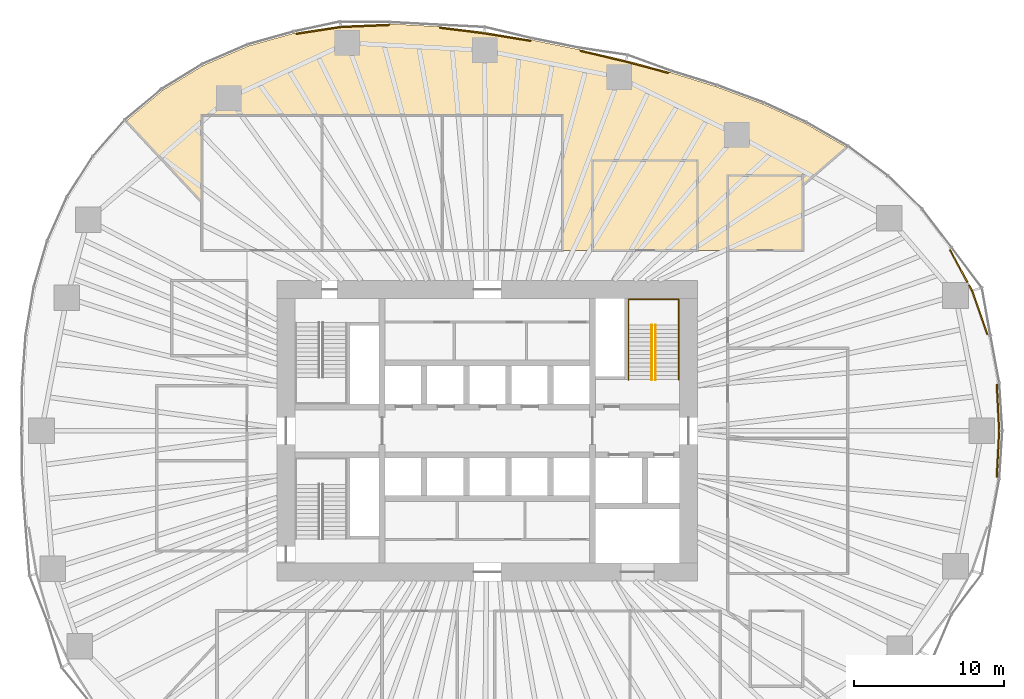
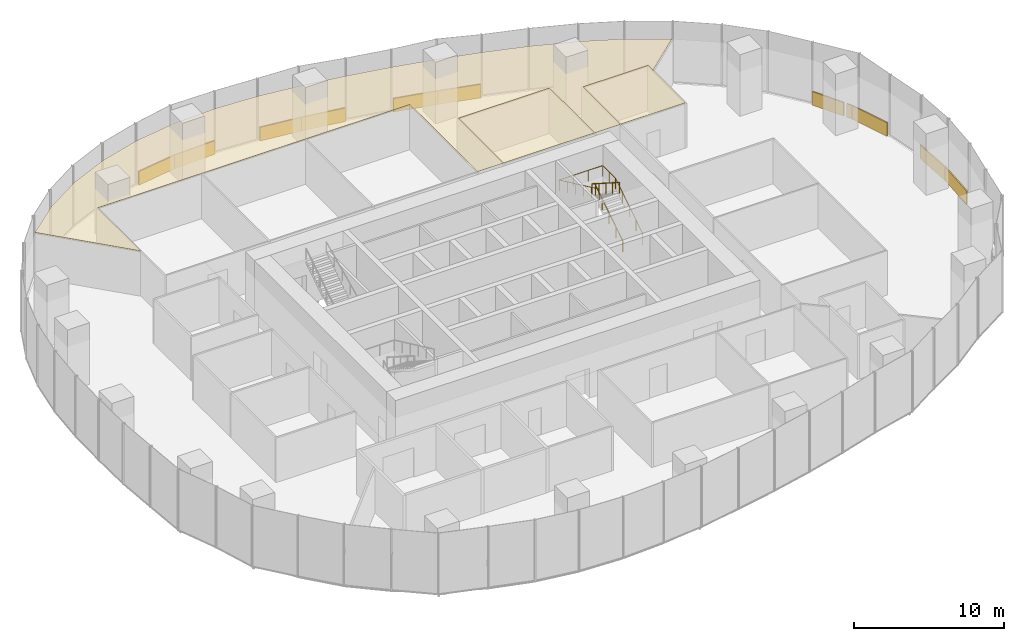
# One storey, part 20 of 20: 14 coverings, 3 railings.
"""IFC4 building model written with IfcOpenShell, lengths in metres."""

from ifc_helpers import new_model, si_unit, direction, frame, origin, origin_2d, place, context, subcontext, project, spatial, polyline, rectangle, circle, outline, extrude, material, layer, layer_set, type_object, element, save


model = new_model("IFC4")

# Units and contexts
model_context = context("Model", 3, precision=1e-05, world=origin(), true_north=direction((0.0, 1.0)))
body_context = subcontext(model_context, "Body", "Model", "MODEL_VIEW")
ifc_project = project(units=[si_unit("LENGTHUNIT", "METRE"), si_unit("AREAUNIT", "SQUARE_METRE"), si_unit("VOLUMEUNIT", "CUBIC_METRE"), si_unit("PLANEANGLEUNIT", "RADIAN"), si_unit("MASSUNIT", "GRAM", prefix="KILO")], contexts=[model_context])

# Site, building, storey
site_placement = place(None, origin())
site = spatial("IfcSite", under=ifc_project, at=site_placement, CompositionType="ELEMENT")
building_placement = place(site_placement, origin())
building = spatial("IfcBuilding", under=site, at=building_placement, Name="Ghaith Harvest Tower", CompositionType="ELEMENT")
storey_placement = place(building_placement, frame((0.0, 0.0, 65.0)))
storey = spatial("IfcBuildingStorey", under=building, at=storey_placement, Name="L13", CompositionType="ELEMENT", Elevation=65.0)

# Coverings
ifc_material_1 = material(Name="Mineral fibre ceiling tile", Category="gypsum")
ifc_layer_1 = layer(ifc_material_1, 0.02490234375)
ifc_layer_set_1 = layer_set([ifc_layer_1], Name="CEILING C2")
covering_type_1 = type_object("IfcCoveringType", Name="CEILING C2", PredefinedType="CEILING", material=ifc_layer_set_1)
covering_1_placement = place(storey_placement, frame((0.0, 0.0, 3.60009765625)))
element("IfcCovering", 1, at=covering_1_placement, inside=storey, type_object=covering_type_1, Name="Ceiling L13-04", PredefinedType="CEILING", context=body_context, shape_type="SweptSolid", body=[
    extrude(outline(polyline([(7.0, 12.0), (14.0, 12.0), (14.0, 18.0), (7.0, 18.0), (7.0, 12.0)])), origin(), (0.0, 0.0, 1.0), 0.02490234375),
])
covering_2_placement = place(storey_placement, frame((0.0, 0.0, 3.60009765625)))
element("IfcCovering", 2, at=covering_2_placement, inside=storey, type_object=covering_type_1, Name="Ceiling L13-14", PredefinedType="CEILING", context=body_context, shape_type="SweptSolid", body=[
    extrude(outline(polyline([(16.0, 12.0), (21.0, 12.0), (21.0, 17.0), (16.0, 17.0), (16.0, 12.0)])), origin(), (0.0, 0.0, 1.0), 0.02490234375),
])
covering_3_placement = place(storey_placement, frame((0.0, 0.0, 3.60009765625)))
element("IfcCovering", 3, at=covering_3_placement, inside=storey, type_object=covering_type_1, Name="Ceiling L13-N1", PredefinedType="CEILING", context=body_context, shape_type="SweptSolid", body=[
    extrude(outline(polyline([(-21.59912109375, 22.671142578125), (-18.8935546875, 24.32763671875), (-15.907958984375, 25.614501953125), (-12.828125, 26.476806640625), (-9.733642578125, 26.949951171875), (-6.4375, 27.0849609375), (-3.24755859375, 26.91064453125), (-0.181396484375, 26.527099609375), (2.99560546875, 26.004150390625), (6.10888671875, 25.378662109375), (9.21533203125, 24.65087890625), (12.1796875, 23.857666015625), (15.22119140625, 22.916259765625), (18.34521484375, 21.7548828125), (21.149169921875, 20.469482421875), (23.92431640625, 18.873046875), (21.0, 16.336669921875), (21.0, 17.0), (16.0, 17.0), (16.0, 12.0), (14.0, 12.0), (14.0, 18.0), (7.0, 18.0), (7.0, 12.0), (5.0, 12.0), (5.0, 21.0), (-19.0, 21.0), (-19.0, 15.21240234375), (-24.04833984375, 20.618408203125), (-21.59912109375, 22.671142578125)])), origin(), (0.0, 0.0, 1.0), 0.02490234375),
])

# Railings
ifc_material_2 = material(Name="Steel, black powder-coated", Category="steel")
railing_type = type_object("IfcRailingType", Name="HANDRAIL HR1", PredefinedType="HANDRAIL", material=ifc_material_2)
railing_1_placement = place(storey_placement, frame((11.199951171875, 3.39990234375, 0.178466796875)))
element("IfcRailing", 4, at=railing_1_placement, inside=storey, type_object=railing_type, Name="Handrail HR1 stair ST2 L13 flight 1 inner", PredefinedType="HANDRAIL", context=body_context, shape_type="SweptSolid", body=[
    extrude(circle(Radius=0.02392578125, at=origin_2d()), frame((0.0, 0.0, 0.8759765625), z_axis=(0.0, 0.843127859045, 0.537713132908), x_axis=(-1.0, 0.0, 0.0)), (0.0, 0.0, 1.0), 4.3173828125),
    extrude(circle(Radius=0.02099609375, at=origin_2d()), origin(), (0.0, 0.0, 1.0), 0.851806640625),
    extrude(circle(Radius=0.02099609375, at=origin_2d()), frame((0.0, 0.91015625, 0.580322265625)), (0.0, 0.0, 1.0), 0.851806640625),
    extrude(circle(Radius=0.02099609375, at=origin_2d()), frame((0.0, 1.820068359375, 1.16064453125)), (0.0, 0.0, 1.0), 0.851806640625),
    extrude(circle(Radius=0.02099609375, at=origin_2d()), frame((0.0, 2.72998046875, 1.7412109375)), (0.0, 0.0, 1.0), 0.851806640625),
    extrude(circle(Radius=0.02099609375, at=origin_2d()), frame((0.0, 3.64013671875, 2.321533203125)), (0.0, 0.0, 1.0), 0.851806640625),
])
railing_2_placement = place(storey_placement, frame((10.949951171875, 7.0400390625, 2.678466796875)))
element("IfcRailing", 5, at=railing_2_placement, inside=storey, type_object=railing_type, Name="Handrail HR1 stair ST2 L13 flight 2 inner", PredefinedType="HANDRAIL", context=body_context, shape_type="SweptSolid", body=[
    extrude(circle(Radius=0.02392578125, at=origin_2d()), frame((0.0, 0.0, 0.8759765625), z_axis=(0.0, -0.843127859045, 0.537713132908), x_axis=(1.0, 0.0, 0.0)), (0.0, 0.0, 1.0), 4.3173828125),
    extrude(circle(Radius=0.02099609375, at=origin_2d()), origin(), (0.0, 0.0, 1.0), 0.851806640625),
    extrude(circle(Radius=0.02099609375, at=origin_2d()), frame((0.0, -0.91015625, 0.580322265625)), (0.0, 0.0, 1.0), 0.851806640625),
    extrude(circle(Radius=0.02099609375, at=origin_2d()), frame((0.0, -1.820068359375, 1.16064453125)), (0.0, 0.0, 1.0), 0.851806640625),
    extrude(circle(Radius=0.02099609375, at=origin_2d()), frame((0.0, -2.72998046875, 1.7412109375)), (0.0, 0.0, 1.0), 0.851806640625),
    extrude(circle(Radius=0.02099609375, at=origin_2d()), frame((0.0, -3.64013671875, 2.321533203125)), (0.0, 0.0, 1.0), 0.851806640625),
])
railing_3_placement = place(storey_placement, frame((12.75, 3.39990234375, 0.178466796875)))
element("IfcRailing", 6, at=railing_3_placement, inside=storey, type_object=railing_type, Name="Handrail HR1 stair ST2 L13 wall side", PredefinedType="HANDRAIL", context=body_context, shape_type="SweptSolid", body=[
    extrude(circle(Radius=0.02392578125, at=origin_2d()), frame((0.0, 0.0, 0.8759765625), z_axis=(0.0, 0.843127859045, 0.537713132908), x_axis=(-1.0, 0.0, 0.0)), (0.0, 0.0, 1.0), 4.3173828125),
    extrude(circle(Radius=0.02392578125, at=origin_2d()), frame((0.0, 3.64013671875, 3.197265625), z_axis=(0.0, 1.0, 0.0), x_axis=(-1.0, 0.0, 0.0)), (0.0, 0.0, 1.0), 1.7099609375),
    extrude(circle(Radius=0.02392578125, at=origin_2d()), frame((0.0, 5.35009765625, 3.197265625), z_axis=(-1.0, 0.0, 0.0), x_axis=(0.0, -1.0, 0.0)), (0.0, 0.0, 1.0), 3.35009765625),
    extrude(circle(Radius=0.02392578125, at=origin_2d()), frame((-3.35009765625, 5.35009765625, 3.197265625), z_axis=(0.0, -0.905969675553, 0.423342588193), x_axis=(1.0, 0.0, 0.0)), (0.0, 0.0, 1.0), 5.9052734375),
    extrude(circle(Radius=0.02099609375, at=origin_2d()), origin(), (0.0, 0.0, 1.0), 0.851806640625),
    extrude(circle(Radius=0.02099609375, at=origin_2d()), frame((0.0, 0.91015625, 0.580322265625)), (0.0, 0.0, 1.0), 0.851806640625),
    extrude(circle(Radius=0.02099609375, at=origin_2d()), frame((0.0, 1.820068359375, 1.16064453125)), (0.0, 0.0, 1.0), 0.851806640625),
    extrude(circle(Radius=0.02099609375, at=origin_2d()), frame((0.0, 2.72998046875, 1.7412109375)), (0.0, 0.0, 1.0), 0.851806640625),
    extrude(circle(Radius=0.02099609375, at=origin_2d()), frame((0.0, 3.64013671875, 2.321533203125)), (0.0, 0.0, 1.0), 0.851806640625),
    extrude(circle(Radius=0.02099609375, at=origin_2d()), frame((0.0, 4.4951171875, 2.321533203125)), (0.0, 0.0, 1.0), 0.851806640625),
    extrude(circle(Radius=0.02099609375, at=origin_2d()), frame((0.0, 5.35009765625, 2.321533203125)), (0.0, 0.0, 1.0), 0.851806640625),
    extrude(circle(Radius=0.02099609375, at=origin_2d()), frame((-1.11669921875, 5.35009765625, 2.321533203125)), (0.0, 0.0, 1.0), 0.851806640625),
    extrude(circle(Radius=0.02099609375, at=origin_2d()), frame((-2.2333984375, 5.35009765625, 2.321533203125)), (0.0, 0.0, 1.0), 0.851806640625),
    extrude(circle(Radius=0.02099609375, at=origin_2d()), frame((-3.35009765625, 5.35009765625, 2.321533203125)), (0.0, 0.0, 1.0), 0.851806640625),
    extrude(circle(Radius=0.02099609375, at=origin_2d()), frame((-3.35009765625, 4.280029296875, 2.821533203125)), (0.0, 0.0, 1.0), 0.851806640625),
    extrude(circle(Radius=0.02099609375, at=origin_2d()), frame((-3.35009765625, 3.2099609375, 3.321533203125)), (0.0, 0.0, 1.0), 0.851806640625),
    extrude(circle(Radius=0.02099609375, at=origin_2d()), frame((-3.35009765625, 2.14013671875, 3.821533203125)), (0.0, 0.0, 1.0), 0.851806640625),
    extrude(circle(Radius=0.02099609375, at=origin_2d()), frame((-3.35009765625, 1.070068359375, 4.321533203125)), (0.0, 0.0, 1.0), 0.851806640625),
    extrude(circle(Radius=0.02099609375, at=origin_2d()), frame((-3.35009765625, 0.0, 4.821533203125)), (0.0, 0.0, 1.0), 0.851806640625),
])

# Coverings
ifc_material_3 = material(Name="Insulated aluminium spandrel panel on steel framing", Category="steel")
ifc_layer_2 = layer(ifc_material_3, 0.10009765625)
ifc_layer_set_2 = layer_set([ifc_layer_2], Name="SLAB EDGE UPSTAND 1100x100")
covering_type_2 = type_object("IfcCoveringType", Name="SLAB EDGE UPSTAND 1100x100", PredefinedType="CLADDING", material=ifc_layer_set_2)
covering_4_placement = place(storey_placement, frame((33.994384765625, 1.54443359375, 0.0), z_axis=(0.0, 0.0, 1.0), x_axis=(-0.052048501689, 0.998644558125, 0.0)))
element("IfcCovering", 7, at=covering_4_placement, inside=storey, type_object=covering_type_2, Name="Slab edge upstand 1 bay 01 L13", PredefinedType="CLADDING", context=body_context, shape_type="SweptSolid", body=[
    extrude(rectangle(XDim=3.098388671875, YDim=0.10009765625, at=origin_2d()), origin(), (0.0, 0.0, 1.0), 1.10009765625),
])
covering_5_placement = place(storey_placement, frame((32.78125, 7.867919921875, 0.0), z_axis=(0.0, 0.0, 1.0), x_axis=(-0.330597697022, 0.943771774702, 0.0)))
element("IfcCovering", 8, at=covering_5_placement, inside=storey, type_object=covering_type_2, Name="Slab edge upstand 3 bay 01 L13", PredefinedType="CLADDING", context=body_context, shape_type="SweptSolid", body=[
    extrude(rectangle(XDim=3.0859375, YDim=0.10009765625, at=origin_2d()), origin(), (0.0, 0.0, 1.0), 1.10009765625),
])
covering_6_placement = place(storey_placement, frame((32.172119140625, 9.505615234375, 0.0), z_axis=(0.0, 0.0, 1.0), x_axis=(-0.476349292539, 0.87925613532, 0.0)))
element("IfcCovering", 9, at=covering_6_placement, inside=storey, type_object=covering_type_2, Name="Slab edge upstand 1 bay 02 L13", PredefinedType="CLADDING", context=body_context, shape_type="SweptSolid", body=[
    extrude(rectangle(XDim=0.42919921875, YDim=0.10009765625, at=origin_2d()), origin(), (0.0, 0.0, 1.0), 1.10009765625),
])
covering_7_placement = place(storey_placement, frame((31.3759765625, 10.9755859375, 0.0), z_axis=(0.0, 0.0, 1.0), x_axis=(-0.476349292539, 0.87925613532, 0.0)))
element("IfcCovering", 10, at=covering_7_placement, inside=storey, type_object=covering_type_2, Name="Slab edge upstand 1 bay 02 L13", PredefinedType="CLADDING", context=body_context, shape_type="SweptSolid", body=[
    extrude(rectangle(XDim=2.46484375, YDim=0.10009765625, at=origin_2d()), origin(), (0.0, 0.0, 1.0), 1.10009765625),
])
covering_8_placement = place(storey_placement, frame((10.63623046875, 24.218994140625, 0.0), z_axis=(0.0, 0.0, 1.0), x_axis=(-0.9660243418, 0.258451099919, 0.0)))
element("IfcCovering", 11, at=covering_8_placement, inside=storey, type_object=covering_type_2, Name="Slab edge upstand 3 bay 04 L13", PredefinedType="CLADDING", context=body_context, shape_type="SweptSolid", body=[
    extrude(rectangle(XDim=2.968505859375, YDim=0.10009765625, at=origin_2d()), origin(), (0.0, 0.0, 1.0), 1.10009765625),
])
covering_9_placement = place(storey_placement, frame((7.699462890625, 24.95458984375, 0.0), z_axis=(0.0, 0.0, 1.0), x_axis=(-0.973634089594, 0.228115452305, 0.0)))
element("IfcCovering", 12, at=covering_9_placement, inside=storey, type_object=covering_type_2, Name="Slab edge upstand 1 bay 05 L13", PredefinedType="CLADDING", context=body_context, shape_type="SweptSolid", body=[
    extrude(rectangle(XDim=3.090576171875, YDim=0.10009765625, at=origin_2d()), origin(), (0.0, 0.0, 1.0), 1.10009765625),
])
covering_10_placement = place(storey_placement, frame((1.349609375, 26.224365234375, 0.0), z_axis=(0.0, 0.0, 1.0), x_axis=(-0.986716247541, 0.162453214305, 0.0)))
element("IfcCovering", 13, at=covering_10_placement, inside=storey, type_object=covering_type_2, Name="Slab edge upstand 3 bay 05 L13", PredefinedType="CLADDING", context=body_context, shape_type="SweptSolid", body=[
    extrude(rectangle(XDim=3.119873046875, YDim=0.10009765625, at=origin_2d()), origin(), (0.0, 0.0, 1.0), 1.10009765625),
])
covering_11_placement = place(storey_placement, frame((-1.671142578125, 26.6630859375, 0.0), z_axis=(0.0, 0.0, 1.0), x_axis=(-0.99226486887, 0.124138753038, 0.0)))
element("IfcCovering", 14, at=covering_11_placement, inside=storey, type_object=covering_type_2, Name="Slab edge upstand 1 bay 06 L13", PredefinedType="CLADDING", context=body_context, shape_type="SweptSolid", body=[
    extrude(rectangle(XDim=2.98974609375, YDim=0.10009765625, at=origin_2d()), origin(), (0.0, 0.0, 1.0), 1.10009765625),
])
covering_12_placement = place(storey_placement, frame((-8.133544921875, 26.965576171875, 0.0), z_axis=(0.0, 0.0, 1.0), x_axis=(-0.999160890982, -0.040957464901, 0.0)))
element("IfcCovering", 15, at=covering_12_placement, inside=storey, type_object=covering_type_2, Name="Slab edge upstand 3 bay 06 L13", PredefinedType="CLADDING", context=body_context, shape_type="SweptSolid", body=[
    extrude(rectangle(XDim=3.198974609375, YDim=0.10009765625, at=origin_2d()), origin(), (0.0, 0.0, 1.0), 1.10009765625),
])
covering_13_placement = place(storey_placement, frame((-11.22412109375, 26.67138671875, 0.0), z_axis=(0.0, 0.0, 1.0), x_axis=(-0.988517924816, -0.1511036476, 0.0)))
element("IfcCovering", 16, at=covering_13_placement, inside=storey, type_object=covering_type_2, Name="Slab edge upstand 1 bay 07 L13", PredefinedType="CLADDING", context=body_context, shape_type="SweptSolid", body=[
    extrude(rectangle(XDim=3.030517578125, YDim=0.10009765625, at=origin_2d()), origin(), (0.0, 0.0, 1.0), 1.10009765625),
])
covering_14_placement = place(storey_placement, frame((33.994384765625, -1.54443359375, 0.0), z_axis=(0.0, 0.0, 1.0), x_axis=(0.052048501794, 0.998644558119, 0.0)))
element("IfcCovering", 17, at=covering_14_placement, inside=storey, type_object=covering_type_2, Name="Slab edge upstand 3 bay 20 L13", PredefinedType="CLADDING", context=body_context, shape_type="SweptSolid", body=[
    extrude(rectangle(XDim=3.098388671875, YDim=0.10009765625, at=origin_2d()), origin(), (0.0, 0.0, 1.0), 1.10009765625),
])

save(model, "model.ifc")
